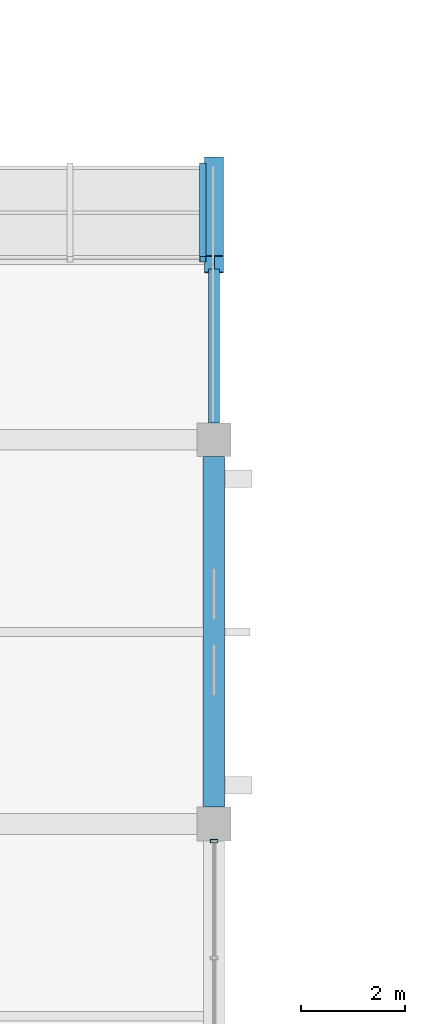
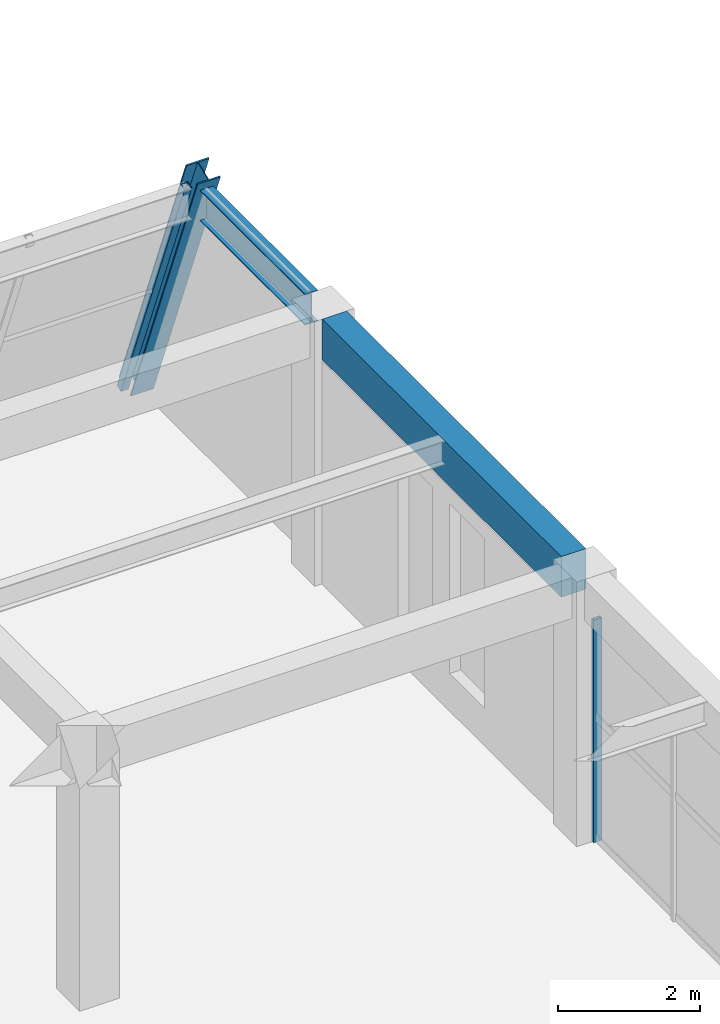
# One storey, part 128 of 161: 3 members, 2 beams, 2 elements without a shape of their own.
"""IFC4 building model written with IfcOpenShell, lengths in metres."""

from ifc_helpers import new_model, si_unit, direction, frame, origin, origin_2d, place, context, subcontext, project, spatial, rectangle, hollow_rectangle, i_section, extrude, material, material_profile, profile_set, type_object, element, aggregate, save


model = new_model("IFC4")

# Units and contexts
model_context = context("Model", 3, precision=1e-05, world=origin(), true_north=direction((0.0, 1.0)))
body_context = subcontext(model_context, "Body", "Model", "MODEL_VIEW")
ifc_project = project(units=[si_unit("LENGTHUNIT", "METRE"), si_unit("AREAUNIT", "SQUARE_METRE"), si_unit("VOLUMEUNIT", "CUBIC_METRE"), si_unit("PLANEANGLEUNIT", "RADIAN"), si_unit("MASSUNIT", "GRAM", prefix="KILO")], contexts=[model_context])

# Site, building, storey
site_placement = place(None, origin())
site = spatial("IfcSite", under=ifc_project, at=site_placement, CompositionType="ELEMENT")
building_placement = place(site_placement, origin())
building = spatial("IfcBuilding", under=site, at=building_placement, Name="Cimatlan Art Gallery", CompositionType="ELEMENT")
storey_placement = place(building_placement, frame((0.0, 0.0, 5.39990234375)))
storey = spatial("IfcBuildingStorey", under=building, at=storey_placement, Name="L01", CompositionType="ELEMENT", Elevation=5.39990234375)

# Beams
ifc_material_1 = material(Name="Concrete C40/50", Category="concrete")
ifc_material_profile_1 = material_profile(ifc_material_1, rectangle(XDim=0.39990234375, YDim=0.699951171875, at=origin_2d()), Name="RC400X700")
ifc_profile_set_1 = profile_set([ifc_material_profile_1], Name="Concrete C40/50")
beam_type_1 = type_object("IfcBeamType", Name="BM-RC-400X700", PredefinedType="BEAM", material=ifc_profile_set_1)
beam_1_placement = place(storey_placement, frame((131.60009765625, 83.425048828125, 4.210205078125), z_axis=(0.0, 1.0, 0.0), x_axis=(-1.0, 0.0, 0.0)))
element("IfcBeam", 1, at=beam_1_placement, inside=storey, type_object=beam_type_1, Name="BM-Y-L01-16-11", PredefinedType="BEAM", context=body_context, shape_type="SweptSolid", body=[
    extrude(rectangle(XDim=0.39990234375, YDim=0.699951171875, at=origin_2d()), origin(), (0.0, 0.0, 1.0), 6.75),
])
ifc_material_2 = material(Name="Steel ASTM A992 Grade 50", Category="steel")
ifc_material_profile_2 = material_profile(ifc_material_2, i_section(OverallWidth=0.2099609375, OverallDepth=0.532958984375, WebThickness=0.01025390625, FlangeThickness=0.015625, at=origin_2d()), Name="W21X62")
ifc_profile_set_2 = profile_set([ifc_material_profile_2], Name="Steel ASTM A992 Grade 50")
beam_type_2 = type_object("IfcBeamType", Name="BM-STL-W21X62", PredefinedType="BEAM", material=ifc_profile_set_2)
beam_2_placement = place(storey_placement, frame((131.60009765625, 90.824951171875, 4.293701171875), z_axis=(0.0, 1.0, 0.0), x_axis=(-1.0, 0.0, 0.0)))
element("IfcBeam", 2, at=beam_2_placement, inside=storey, type_object=beam_type_2, Name="BM-PRW-Y-L01-B4-16", PredefinedType="BEAM", context=body_context, shape_type="SweptSolid", body=[
    extrude(i_section(OverallWidth=0.2099609375, OverallDepth=0.532958984375, WebThickness=0.01025390625, FlangeThickness=0.015625, at=origin_2d()), origin(), (0.0, 0.0, 1.0), 2.961669921875),
])

# Curtain wall, member
ifc_material_3 = material(Name="Anodised bronze unitised curtain wall")
curtain_wall_type_1 = type_object("IfcCurtainWallType", Name="CW-V-06742X03830-B3", PredefinedType="NOTDEFINED", material=ifc_material_3)
curtain_wall_1_placement = place(storey_placement, origin())
curtain_wall_1 = element("IfcCurtainWall", 3, at=curtain_wall_1_placement, inside=storey, type_object=curtain_wall_type_1, Name="CW-L01-15-10-E", PredefinedType="NOTDEFINED")
ifc_material_4 = material(Name="Anodised bronze aluminium 6063-T6", Category="aluminium")
ifc_material_profile_3 = material_profile(ifc_material_4, hollow_rectangle(XDim=0.06494140625, YDim=0.139892578125, WallThickness=0.00390625, at=origin_2d()), Name="ALU65X140X4")
ifc_profile_set_3 = profile_set([ifc_material_profile_3], Name="Anodised bronze aluminium 6063-T6")
member_type_1 = type_object("IfcMemberType", Name="CW-MUL-140", PredefinedType="MULLION", material=ifc_profile_set_3)
member_1_placement = place(storey_placement, frame((131.60009765625, 82.77099609375, 0.0), z_axis=(0.0, 0.0, 1.0), x_axis=(0.0, 1.0, 0.0)))
member_1 = element("IfcMember", 4, at=member_1_placement, type_object=member_type_1, Name="CW-L01-15-10-E-M1", PredefinedType="MULLION", context=body_context, shape_type="SweptSolid", body=[
    extrude(hollow_rectangle(XDim=0.06494140625, YDim=0.139892578125, WallThickness=0.00390625, at=origin_2d()), origin(), (0.0, 0.0, 1.0), 3.830078125),
])
aggregate(curtain_wall_1, [member_1])

ifc_material_5 = material(Name="Raked steel-and-bronze lancet curtain wall", Category="steel")
curtain_wall_type_2 = type_object("IfcCurtainWallType", Name="CW-RAK-07660X04901-B3", PredefinedType="NOTDEFINED", material=ifc_material_5)
curtain_wall_2_placement = place(storey_placement, origin())
curtain_wall_2 = element("IfcCurtainWall", 5, at=curtain_wall_2_placement, inside=storey, type_object=curtain_wall_type_2, Name="CW-PROW-L01-B4-15", PredefinedType="NOTDEFINED")
ifc_material_6 = material(Name="Steel ASTM A500 Grade C", Category="steel")
ifc_material_profile_4 = material_profile(ifc_material_6, hollow_rectangle(XDim=0.1201171875, YDim=0.1201171875, WallThickness=0.00634765625, at=origin_2d()), Name="HSS120X120X6")
ifc_profile_set_4 = profile_set([ifc_material_profile_4], Name="Steel ASTM A500 Grade C")
member_type_2 = type_object("IfcMemberType", Name="CW-MUL-RAK", PredefinedType="MULLION", material=ifc_profile_set_4)
member_2_placement = place(storey_placement, frame((131.3798828125, 95.77294921875, 0.0), z_axis=(0.0, -0.366481396036, 0.930425379254), x_axis=(1.0, 0.0, 0.0)))
member_2 = element("IfcMember", 6, at=member_2_placement, type_object=member_type_2, Name="CW-PROW-L01-B4-15-M4", PredefinedType="MULLION", context=body_context, shape_type="SweptSolid", body=[
    extrude(hollow_rectangle(XDim=0.1201171875, YDim=0.1201171875, WallThickness=0.00634765625, at=origin_2d()), origin(), (0.0, 0.0, 1.0), 4.901123046875),
])
aggregate(curtain_wall_2, [member_2])

# Member
ifc_material_profile_5 = material_profile(ifc_material_2, i_section(OverallWidth=0.37109375, OverallDepth=0.364013671875, WebThickness=0.01318359375, FlangeThickness=0.021728515625, at=origin_2d()), Name="W14X109")
ifc_profile_set_5 = profile_set([ifc_material_profile_5], Name="Steel ASTM A992 Grade 50")
member_type_3 = type_object("IfcMemberType", Name="MBR-RAK-W14X109", PredefinedType="RAFTER", material=ifc_profile_set_5)
member_3_placement = place(storey_placement, frame((131.60009765625, 95.77294921875, 0.0), z_axis=(0.0, -0.366514587358, 0.930412304978), x_axis=(1.0, 0.0, 0.0)))
element("IfcMember", 7, at=member_3_placement, inside=storey, type_object=member_type_3, Name="MBR-RAK-L01-B4-16", PredefinedType="RAFTER", context=body_context, shape_type="SweptSolid", body=[
    extrude(i_section(OverallWidth=0.37109375, OverallDepth=0.364013671875, WebThickness=0.01318359375, FlangeThickness=0.021728515625, at=origin_2d()), origin(), (0.0, 0.0, 1.0), 5.158935546875),
])

save(model, "model.ifc")
